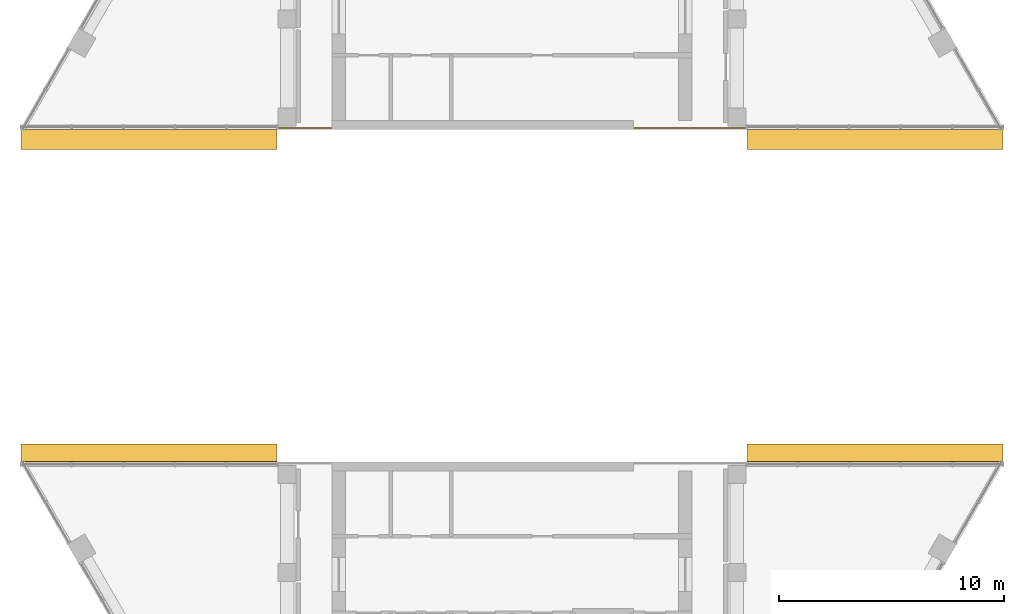
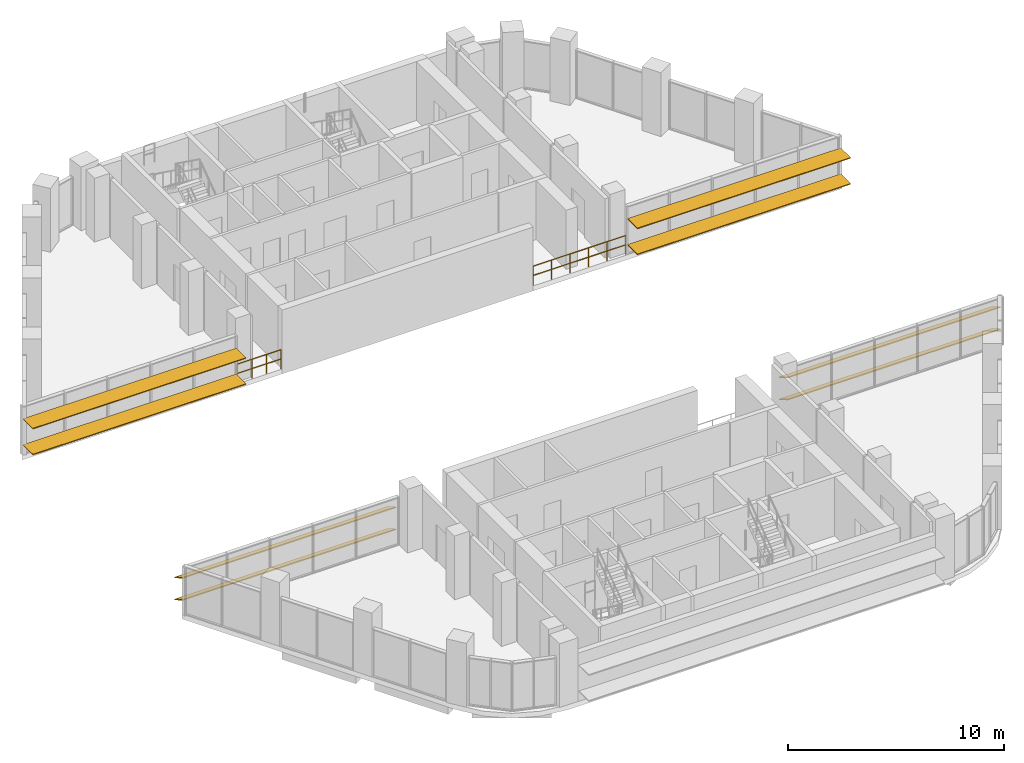
# One storey, part 14 of 15: 8 shading devices, 2 railings.
"""IFC4 building model written with IfcOpenShell, lengths in metres."""

from ifc_helpers import new_model, si_unit, direction, frame, origin, origin_2d, place, context, subcontext, project, spatial, rectangle, circle, extrude, material, material_profile, profile_set, type_object, element, save


model = new_model("IFC4")

# Units and contexts
model_context = context("Model", 3, precision=1e-05, world=origin(), true_north=direction((0.0, 1.0)))
body_context = subcontext(model_context, "Body", "Model", "MODEL_VIEW")
ifc_project = project(units=[si_unit("LENGTHUNIT", "METRE"), si_unit("AREAUNIT", "SQUARE_METRE"), si_unit("VOLUMEUNIT", "CUBIC_METRE"), si_unit("PLANEANGLEUNIT", "RADIAN"), si_unit("MASSUNIT", "GRAM", prefix="KILO")], contexts=[model_context])

# Site, building, storey
site_placement = place(None, origin())
site = spatial("IfcSite", under=ifc_project, at=site_placement, CompositionType="ELEMENT")
building_placement = place(site_placement, origin())
building = spatial("IfcBuilding", under=site, at=building_placement, Name="Nakaniwa Court", CompositionType="ELEMENT")
storey_placement = place(building_placement, frame((0.0, 0.0, 283.199951171875)))
storey = spatial("IfcBuildingStorey", under=building, at=storey_placement, Name="C04", CompositionType="ELEMENT", Elevation=283.199951171875)

# Shading devices
ifc_material_1 = material(Name="Perforated charcoal ceramic louvre blade")
ifc_material_profile = material_profile(ifc_material_1, rectangle(XDim=0.89990234375, YDim=0.050048828125, at=origin_2d()), Name="Perforated ceramic louvre blade")
ifc_profile_set = profile_set([ifc_material_profile], Name="Perforated charcoal ceramic louvre blade")
shading_device_type = type_object("IfcShadingDeviceType", Name="Perforated ceramic louvre blade", PredefinedType="JALOUSIE", material=ifc_profile_set)
for number, where, z_axis, x_axis, name in (
    (1, (101.83154296875, 73.002197265625, 0.550048828125), (-1.0, 0.0, 0.0), (0.0, -0.866025403784, 0.5), "C04 perforated ceramic louvre blade w03 1"),
    (2, (101.83154296875, 73.002197265625, 1.79345703125), (-1.0, 0.0, 0.0), (0.0, -0.866025403784, 0.5), "C04 perforated ceramic louvre blade w03 2"),
    (3, (69.553955078125, 73.002197265625, 0.550048828125), (-1.0, 0.0, 0.0), (0.0, -0.866025403784, 0.5), "C04 perforated ceramic louvre blade w04 1"),
    (4, (69.553955078125, 73.002197265625, 1.79345703125), (-1.0, 0.0, 0.0), (0.0, -0.866025403784, 0.5), "C04 perforated ceramic louvre blade w04 2"),
    (5, (58.16845703125, 86.949951171875, 0.550048828125), (1.0, 0.0, 0.0), (0.0, 1.0, 0.0), "C04 perforated ceramic louvre blade w16 1"),
    (6, (58.16845703125, 86.949951171875, 2.01513671875), (1.0, 0.0, 0.0), (0.0, 1.0, 0.0), "C04 perforated ceramic louvre blade w16 2"),
    (7, (90.446044921875, 86.949951171875, 0.550048828125), (1.0, 0.0, 0.0), (0.0, 1.0, 0.0), "C04 perforated ceramic louvre blade w17 1"),
    (8, (90.446044921875, 86.949951171875, 2.01513671875), (1.0, 0.0, 0.0), (0.0, 1.0, 0.0), "C04 perforated ceramic louvre blade w17 2"),
):
    element("IfcShadingDevice", number, at=place(storey_placement, frame(where, z_axis=z_axis, x_axis=x_axis)), inside=storey, type_object=shading_device_type, Name=name, PredefinedType="JALOUSIE", context=body_context, shape_type="SweptSolid", body=[
        extrude(rectangle(XDim=0.89990234375, YDim=0.050048828125, at=origin_2d()), origin(), (0.0, 0.0, 1.0), 11.385498046875),
    ])

# Railings
ifc_material_2 = material(Name="Black powder coated steel guard", Category="steel")
railing_type = type_object("IfcRailingType", Name="Stair guard 1100", PredefinedType="GUARDRAIL", material=ifc_material_2)
railing_1_placement = place(storey_placement, frame((90.374755859375, 87.449951171875, 0.0)))
element("IfcRailing", 9, at=railing_1_placement, inside=storey, type_object=railing_type, Name="GUARD GD-C04-171", PredefinedType="GUARDRAIL", context=body_context, shape_type="SweptSolid", body=[
    extrude(circle(Radius=0.02392578125, at=origin_2d()), frame((0.0, 0.0, 1.076171875), z_axis=(-1.0, 0.0, 0.0), x_axis=(0.0, -1.0, 0.0)), (0.0, 0.0, 1.0), 4.95556640625),
    extrude(circle(Radius=0.02392578125, at=origin_2d()), frame((0.0, 0.0, 0.550048828125), z_axis=(-1.0, 0.0, 0.0), x_axis=(0.0, -1.0, 0.0)), (0.0, 0.0, 1.0), 4.95556640625),
    extrude(circle(Radius=0.02099609375, at=origin_2d()), origin(), (0.0, 0.0, 1.0), 1.052001953125),
    extrude(circle(Radius=0.02099609375, at=origin_2d()), frame((-0.9912109375, 0.0, 0.0)), (0.0, 0.0, 1.0), 1.052001953125),
    extrude(circle(Radius=0.02099609375, at=origin_2d()), frame((-1.982177734375, 0.0, 0.0)), (0.0, 0.0, 1.0), 1.052001953125),
    extrude(circle(Radius=0.02099609375, at=origin_2d()), frame((-2.973388671875, 0.0, 0.0)), (0.0, 0.0, 1.0), 1.052001953125),
    extrude(circle(Radius=0.02099609375, at=origin_2d()), frame((-3.96435546875, 0.0, 0.0)), (0.0, 0.0, 1.0), 1.052001953125),
    extrude(circle(Radius=0.02099609375, at=origin_2d()), frame((-4.95556640625, 0.0, 0.0)), (0.0, 0.0, 1.0), 1.052001953125),
])
railing_2_placement = place(storey_placement, frame((71.974365234375, 87.449951171875, 0.0)))
element("IfcRailing", 10, at=railing_2_placement, inside=storey, type_object=railing_type, Name="GUARD GD-C04-172", PredefinedType="GUARDRAIL", context=body_context, shape_type="SweptSolid", body=[
    extrude(circle(Radius=0.02392578125, at=origin_2d()), frame((0.0, 0.0, 1.076171875), z_axis=(-1.0, 0.0, 0.0), x_axis=(0.0, -1.0, 0.0)), (0.0, 0.0, 1.0), 2.34912109375),
    extrude(circle(Radius=0.02392578125, at=origin_2d()), frame((0.0, 0.0, 0.550048828125), z_axis=(-1.0, 0.0, 0.0), x_axis=(0.0, -1.0, 0.0)), (0.0, 0.0, 1.0), 2.34912109375),
    extrude(circle(Radius=0.02099609375, at=origin_2d()), origin(), (0.0, 0.0, 1.0), 1.052001953125),
    extrude(circle(Radius=0.02099609375, at=origin_2d()), frame((-0.782958984375, 0.0, 0.0)), (0.0, 0.0, 1.0), 1.052001953125),
    extrude(circle(Radius=0.02099609375, at=origin_2d()), frame((-1.566162109375, 0.0, 0.0)), (0.0, 0.0, 1.0), 1.052001953125),
    extrude(circle(Radius=0.02099609375, at=origin_2d()), frame((-2.34912109375, 0.0, 0.0)), (0.0, 0.0, 1.0), 1.052001953125),
])

save(model, "model.ifc")
